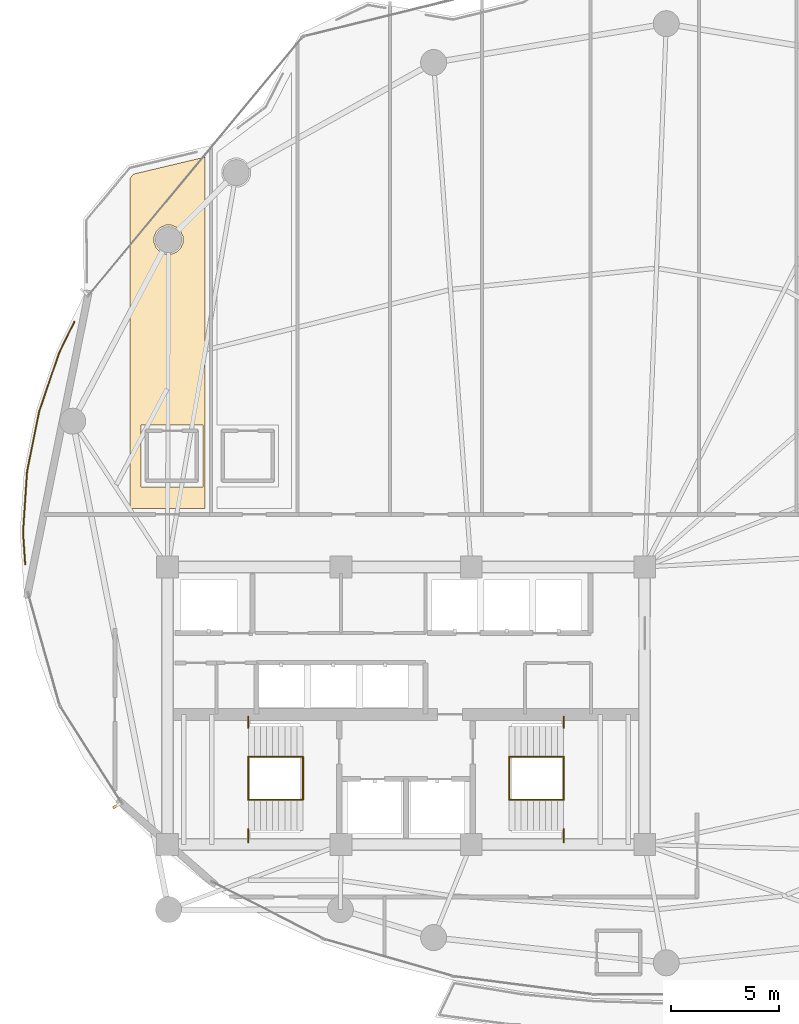
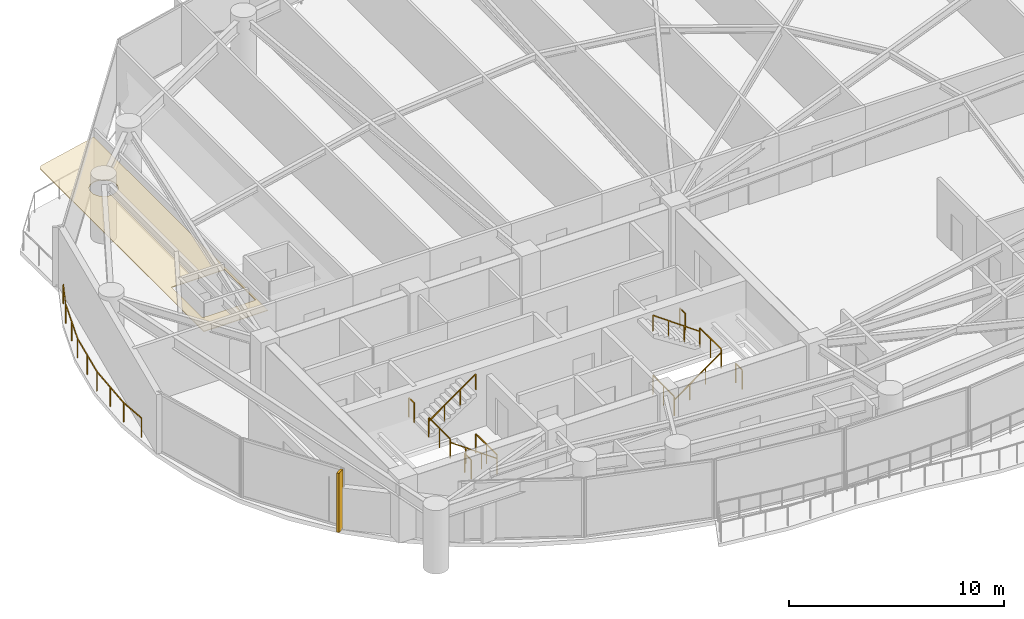
# One storey, part 26 of 28: 13 railings, 1 covering, 1 shading device.
"""IFC4 building model written with IfcOpenShell, lengths in metres."""

from ifc_helpers import new_model, si_unit, direction, frame, origin, origin_2d, place, context, subcontext, project, spatial, polyline, rectangle, outline, extrude, material, layer, layer_set, type_object, element, save


model = new_model("IFC4")

# Units and contexts
model_context = context("Model", 3, precision=1e-05, world=origin(), true_north=direction((0.0, 1.0)))
body_context = subcontext(model_context, "Body", "Model", "MODEL_VIEW")
ifc_project = project(units=[si_unit("LENGTHUNIT", "METRE"), si_unit("AREAUNIT", "SQUARE_METRE"), si_unit("VOLUMEUNIT", "CUBIC_METRE"), si_unit("PLANEANGLEUNIT", "RADIAN"), si_unit("MASSUNIT", "GRAM", prefix="KILO")], contexts=[model_context])

# Site, building, storey
site_placement = place(None, origin())
site = spatial("IfcSite", under=ifc_project, at=site_placement, CompositionType="ELEMENT")
building_placement = place(site_placement, origin())
building = spatial("IfcBuilding", under=site, at=building_placement, Name="Kazevale Care Tower and Concert Hall", CompositionType="ELEMENT")
storey_placement = place(building_placement, frame((0.0, 0.0, 106.199951171875)))
storey = spatial("IfcBuildingStorey", under=building, at=storey_placement, Name="L27", CompositionType="ELEMENT", Elevation=106.199951171875)

# Covering
ifc_material_1 = material(Name="Acoustic Plaster and Hinoki Wood", Category="wood")
ifc_layer = layer(ifc_material_1, 0.0400390625)
ifc_layer_set = layer_set([ifc_layer], Name="Acoustic Plaster and Hinoki Wood")
covering_type = type_object("IfcCoveringType", Name="Acoustic Perforated Wood-Gypsum Ceiling", PredefinedType="CEILING", material=ifc_layer_set)
covering_placement = place(storey_placement, frame((0.0, 0.0, 2.7099609375)))
element("IfcCovering", 1, at=covering_placement, inside=storey, type_object=covering_type, Name="clg:L27:1", PredefinedType="CEILING", context=body_context, shape_type="SweptSolid", body=[
    extrude(outline(polyline([(23.719970703125, 39.10498046875), (20.280029296875, 39.10498046875), (20.280029296875, 54.33203125), (20.43310546875, 54.51611328125), (23.719970703125, 55.297119140625), (23.719970703125, 39.10498046875)]), holes=[polyline([(20.77001953125, 42.955078125), (20.77001953125, 40.094970703125), (23.6298828125, 40.094970703125), (23.6298828125, 42.955078125), (20.77001953125, 42.955078125)]), polyline([(22.717041015625, 51.623046875), (22.614990234375, 51.867919921875), (22.427978515625, 52.054931640625), (22.18310546875, 52.156982421875), (21.9169921875, 52.156982421875), (21.672119140625, 52.054931640625), (21.485107421875, 51.867919921875), (21.383056640625, 51.623046875), (21.383056640625, 51.35693359375), (21.485107421875, 51.112060546875), (21.672119140625, 50.925048828125), (21.9169921875, 50.822998046875), (22.18310546875, 50.822998046875), (22.427978515625, 50.925048828125), (22.614990234375, 51.112060546875), (22.717041015625, 51.35693359375), (22.717041015625, 51.623046875)])]), origin(), (0.0, 0.0, 1.0), 0.0400390625),
])

# Railings
ifc_material_2 = material(Name="Anodised Bronze Aluminium and Laminated Glass", Category="aluminium")
railing_type_1 = type_object("IfcRailingType", Name="Balcony and Terrace Balustrade 1120", PredefinedType="BALUSTRADE", material=ifc_material_2)
railing_1_placement = place(storey_placement, frame((15.43994140625, 36.514892578125, 0.0)))
element("IfcRailing", 2, at=railing_1_placement, inside=storey, type_object=railing_type_1, Name="rail:L27:perim:1", PredefinedType="BALUSTRADE", context=body_context, shape_type="SweptSolid", body=[
    extrude(rectangle(XDim=0.048095703125, YDim=0.048095703125, at=origin_2d()), frame((0.0, 0.0, 1.09619140625), z_axis=(-0.067085094259, 0.99774725764, 0.0), x_axis=(-0.99774725764, -0.067085094259, 0.0)), (0.0, 0.0, 1.0), 1.488525390625),
    extrude(rectangle(XDim=0.048095703125, YDim=0.048095703125, at=origin_2d()), frame((-0.099853515625, 1.485107421875, 1.09619140625), z_axis=(0.066138294973, 0.997810465939, 0.0), x_axis=(-0.997810465939, 0.066138294973, 0.0)), (0.0, 0.0, 1.0), 2.80908203125),
    extrude(rectangle(XDim=0.048095703125, YDim=0.048095703125, at=origin_2d()), frame((0.0859375, 4.2880859375, 1.09619140625), z_axis=(0.197313197068, 0.980340503225, 0.0), x_axis=(-0.980340503225, 0.197313197068, 0.0)), (0.0, 0.0, 1.0), 2.823486328125),
    extrude(rectangle(XDim=0.048095703125, YDim=0.048095703125, at=origin_2d()), frame((0.64306640625, 7.05615234375, 1.09619140625), z_axis=(0.322414050189, 0.946598742996, 0.0), x_axis=(-0.946598742996, 0.322414050189, 0.0)), (0.0, 0.0, 1.0), 2.85009765625),
    extrude(rectangle(XDim=0.048095703125, YDim=0.048095703125, at=origin_2d()), frame((1.56201171875, 9.754150390625, 1.09619140625), z_axis=(0.44003868985, 0.89797881458, 0.0), x_axis=(-0.89797881458, 0.44003868985, 0.0)), (0.0, 0.0, 1.0), 1.595703125),
    extrude(rectangle(XDim=0.0419921875, YDim=0.0419921875, at=origin_2d()), origin(), (0.0, 0.0, 1.0), 1.072021484375),
    extrude(rectangle(XDim=0.0419921875, YDim=0.0419921875, at=origin_2d()), frame((-0.099853515625, 1.485107421875, 0.0)), (0.0, 0.0, 1.0), 1.072021484375),
    extrude(rectangle(XDim=0.0419921875, YDim=0.0419921875, at=origin_2d()), frame((-0.0068359375, 2.88671875, 0.0)), (0.0, 0.0, 1.0), 1.072021484375),
    extrude(rectangle(XDim=0.0419921875, YDim=0.0419921875, at=origin_2d()), frame((0.0859375, 4.2880859375, 0.0)), (0.0, 0.0, 1.0), 1.072021484375),
    extrude(rectangle(XDim=0.0419921875, YDim=0.0419921875, at=origin_2d()), frame((0.364501953125, 5.672119140625, 0.0)), (0.0, 0.0, 1.0), 1.072021484375),
    extrude(rectangle(XDim=0.0419921875, YDim=0.0419921875, at=origin_2d()), frame((0.64306640625, 7.05615234375, 0.0)), (0.0, 0.0, 1.0), 1.072021484375),
    extrude(rectangle(XDim=0.0419921875, YDim=0.0419921875, at=origin_2d()), frame((1.1025390625, 8.4052734375, 0.0)), (0.0, 0.0, 1.0), 1.072021484375),
    extrude(rectangle(XDim=0.0419921875, YDim=0.0419921875, at=origin_2d()), frame((1.56201171875, 9.754150390625, 0.0)), (0.0, 0.0, 1.0), 1.072021484375),
    extrude(rectangle(XDim=0.0419921875, YDim=0.0419921875, at=origin_2d()), frame((2.26416015625, 11.18701171875, 0.0)), (0.0, 0.0, 1.0), 1.072021484375),
])
ifc_material_3 = material(Name="Stainless Steel 316", Category="steel")
railing_type_2 = type_object("IfcRailingType", Name="Stair Pitch Handrail 920", PredefinedType="HANDRAIL", material=ifc_material_3)
railing_2_placement = place(storey_placement, frame((28.25, 25.659912109375, 0.0)))
element("IfcRailing", 3, at=railing_2_placement, inside=storey, type_object=railing_type_2, Name="stair:L27:ST1:hr1", PredefinedType="HANDRAIL", context=body_context, shape_type="SweptSolid", body=[
    extrude(rectangle(XDim=0.048095703125, YDim=0.048095703125, at=origin_2d()), frame((0.0, 0.0, 0.89599609375), z_axis=(-0.813728144527, 0.0, 0.581245650998), x_axis=(0.0, -1.0, 0.0)), (0.0, 0.0, 1.0), 3.096923828125),
    extrude(rectangle(XDim=0.0419921875, YDim=0.0419921875, at=origin_2d()), origin(), (0.0, 0.0, 1.0), 0.871826171875),
    extrude(rectangle(XDim=0.0419921875, YDim=0.0419921875, at=origin_2d()), frame((-0.840087890625, 0.0, 0.60009765625)), (0.0, 0.0, 1.0), 0.871826171875),
    extrude(rectangle(XDim=0.0419921875, YDim=0.0419921875, at=origin_2d()), frame((-1.679931640625, 0.0, 1.199951171875)), (0.0, 0.0, 1.0), 0.871826171875),
    extrude(rectangle(XDim=0.0419921875, YDim=0.0419921875, at=origin_2d()), frame((-2.52001953125, 0.0, 1.800048828125)), (0.0, 0.0, 1.0), 0.871826171875),
])
for number, where, name in (
    (4, (25.72998046875, 27.639892578125, 1.800048828125), "stair:L27:ST1:hr2"),
    (5, (37.75, 25.659912109375, 0.0), "stair:L27:ST2:hr1"),
):
    element("IfcRailing", number, at=place(storey_placement, frame(where)), inside=storey, type_object=railing_type_2, Name=name, PredefinedType="HANDRAIL", context=body_context, shape_type="SweptSolid", body=[
        extrude(rectangle(XDim=0.048095703125, YDim=0.048095703125, at=origin_2d()), frame((0.0, 0.0, 0.89599609375), z_axis=(0.813728144527, 0.0, 0.581245650998), x_axis=(0.0, 1.0, 0.0)), (0.0, 0.0, 1.0), 3.096923828125),
        extrude(rectangle(XDim=0.0419921875, YDim=0.0419921875, at=origin_2d()), origin(), (0.0, 0.0, 1.0), 0.871826171875),
        extrude(rectangle(XDim=0.0419921875, YDim=0.0419921875, at=origin_2d()), frame((0.840087890625, 0.0, 0.60009765625)), (0.0, 0.0, 1.0), 0.871826171875),
        extrude(rectangle(XDim=0.0419921875, YDim=0.0419921875, at=origin_2d()), frame((1.679931640625, 0.0, 1.199951171875)), (0.0, 0.0, 1.0), 0.871826171875),
        extrude(rectangle(XDim=0.0419921875, YDim=0.0419921875, at=origin_2d()), frame((2.52001953125, 0.0, 1.800048828125)), (0.0, 0.0, 1.0), 0.871826171875),
    ])
railing_3_placement = place(storey_placement, frame((40.27001953125, 27.639892578125, 1.800048828125)))
element("IfcRailing", 6, at=railing_3_placement, inside=storey, type_object=railing_type_2, Name="stair:L27:ST2:hr2", PredefinedType="HANDRAIL", context=body_context, shape_type="SweptSolid", body=[
    extrude(rectangle(XDim=0.048095703125, YDim=0.048095703125, at=origin_2d()), frame((0.0, 0.0, 0.89599609375), z_axis=(-0.813728144527, 0.0, 0.581245650998), x_axis=(0.0, -1.0, 0.0)), (0.0, 0.0, 1.0), 3.096923828125),
    extrude(rectangle(XDim=0.0419921875, YDim=0.0419921875, at=origin_2d()), origin(), (0.0, 0.0, 1.0), 0.871826171875),
    extrude(rectangle(XDim=0.0419921875, YDim=0.0419921875, at=origin_2d()), frame((-0.840087890625, 0.0, 0.60009765625)), (0.0, 0.0, 1.0), 0.871826171875),
    extrude(rectangle(XDim=0.0419921875, YDim=0.0419921875, at=origin_2d()), frame((-1.679931640625, 0.0, 1.199951171875)), (0.0, 0.0, 1.0), 0.871826171875),
    extrude(rectangle(XDim=0.0419921875, YDim=0.0419921875, at=origin_2d()), frame((-2.52001953125, 0.0, 1.800048828125)), (0.0, 0.0, 1.0), 0.871826171875),
])
railing_type_3 = type_object("IfcRailingType", Name="Stair Well Guard Balustrade 1120", PredefinedType="BALUSTRADE", material=ifc_material_3)
railing_4_placement = place(storey_placement, frame((25.72998046875, 23.699951171875, 1.800048828125)))
element("IfcRailing", 7, at=railing_4_placement, inside=storey, type_object=railing_type_3, Name="stair:L27:ST1:grd_side1", PredefinedType="BALUSTRADE", context=body_context, shape_type="SweptSolid", body=[
    extrude(rectangle(XDim=0.048095703125, YDim=0.048095703125, at=origin_2d()), frame((0.0, 0.0, 1.09619140625), z_axis=(0.0, 1.0, 0.0), x_axis=(-1.0, 0.0, 0.0)), (0.0, 0.0, 1.0), 0.610107421875),
    extrude(rectangle(XDim=0.0419921875, YDim=0.0419921875, at=origin_2d()), origin(), (0.0, 0.0, 1.0), 1.072021484375),
    extrude(rectangle(XDim=0.0419921875, YDim=0.0419921875, at=origin_2d()), frame((0.0, 0.610107421875, 0.0)), (0.0, 0.0, 1.0), 1.072021484375),
])
railing_5_placement = place(storey_placement, frame((25.72998046875, 28.989990234375, 1.800048828125)))
element("IfcRailing", 8, at=railing_5_placement, inside=storey, type_object=railing_type_3, Name="stair:L27:ST1:grd_side2", PredefinedType="BALUSTRADE", context=body_context, shape_type="SweptSolid", body=[
    extrude(rectangle(XDim=0.048095703125, YDim=0.048095703125, at=origin_2d()), frame((0.0, 0.0, 1.09619140625), z_axis=(0.0, 1.0, 0.0), x_axis=(-1.0, 0.0, 0.0)), (0.0, 0.0, 1.0), 0.510009765625),
    extrude(rectangle(XDim=0.0419921875, YDim=0.0419921875, at=origin_2d()), origin(), (0.0, 0.0, 1.0), 1.072021484375),
    extrude(rectangle(XDim=0.0419921875, YDim=0.0419921875, at=origin_2d()), frame((0.0, 0.510009765625, 0.0)), (0.0, 0.0, 1.0), 1.072021484375),
])
for number, where, name in (
    (9, (25.72998046875, 25.659912109375, 1.800048828125), "stair:L27:ST1:grd_mid"),
    (10, (28.25, 25.659912109375, 0.0), "stair:L27:ST1:grd_flr"),
):
    element("IfcRailing", number, at=place(storey_placement, frame(where)), inside=storey, type_object=railing_type_3, Name=name, PredefinedType="BALUSTRADE", context=body_context, shape_type="SweptSolid", body=[
        extrude(rectangle(XDim=0.048095703125, YDim=0.048095703125, at=origin_2d()), frame((0.0, 0.0, 1.09619140625), z_axis=(0.0, 1.0, 0.0), x_axis=(-1.0, 0.0, 0.0)), (0.0, 0.0, 1.0), 1.97998046875),
        extrude(rectangle(XDim=0.0419921875, YDim=0.0419921875, at=origin_2d()), origin(), (0.0, 0.0, 1.0), 1.072021484375),
        extrude(rectangle(XDim=0.0419921875, YDim=0.0419921875, at=origin_2d()), frame((0.0, 0.989990234375, 0.0)), (0.0, 0.0, 1.0), 1.072021484375),
        extrude(rectangle(XDim=0.0419921875, YDim=0.0419921875, at=origin_2d()), frame((0.0, 1.97998046875, 0.0)), (0.0, 0.0, 1.0), 1.072021484375),
    ])
railing_6_placement = place(storey_placement, frame((40.27001953125, 23.699951171875, 1.800048828125)))
element("IfcRailing", 11, at=railing_6_placement, inside=storey, type_object=railing_type_3, Name="stair:L27:ST2:grd_side1", PredefinedType="BALUSTRADE", context=body_context, shape_type="SweptSolid", body=[
    extrude(rectangle(XDim=0.048095703125, YDim=0.048095703125, at=origin_2d()), frame((0.0, 0.0, 1.09619140625), z_axis=(0.0, 1.0, 0.0), x_axis=(-1.0, 0.0, 0.0)), (0.0, 0.0, 1.0), 0.610107421875),
    extrude(rectangle(XDim=0.0419921875, YDim=0.0419921875, at=origin_2d()), origin(), (0.0, 0.0, 1.0), 1.072021484375),
    extrude(rectangle(XDim=0.0419921875, YDim=0.0419921875, at=origin_2d()), frame((0.0, 0.610107421875, 0.0)), (0.0, 0.0, 1.0), 1.072021484375),
])
railing_7_placement = place(storey_placement, frame((40.27001953125, 28.989990234375, 1.800048828125)))
element("IfcRailing", 12, at=railing_7_placement, inside=storey, type_object=railing_type_3, Name="stair:L27:ST2:grd_side2", PredefinedType="BALUSTRADE", context=body_context, shape_type="SweptSolid", body=[
    extrude(rectangle(XDim=0.048095703125, YDim=0.048095703125, at=origin_2d()), frame((0.0, 0.0, 1.09619140625), z_axis=(0.0, 1.0, 0.0), x_axis=(-1.0, 0.0, 0.0)), (0.0, 0.0, 1.0), 0.510009765625),
    extrude(rectangle(XDim=0.0419921875, YDim=0.0419921875, at=origin_2d()), origin(), (0.0, 0.0, 1.0), 1.072021484375),
    extrude(rectangle(XDim=0.0419921875, YDim=0.0419921875, at=origin_2d()), frame((0.0, 0.510009765625, 0.0)), (0.0, 0.0, 1.0), 1.072021484375),
])
for number, where, name in (
    (13, (40.27001953125, 25.659912109375, 1.800048828125), "stair:L27:ST2:grd_mid"),
    (14, (37.75, 25.659912109375, 0.0), "stair:L27:ST2:grd_flr"),
):
    element("IfcRailing", number, at=place(storey_placement, frame(where)), inside=storey, type_object=railing_type_3, Name=name, PredefinedType="BALUSTRADE", context=body_context, shape_type="SweptSolid", body=[
        extrude(rectangle(XDim=0.048095703125, YDim=0.048095703125, at=origin_2d()), frame((0.0, 0.0, 1.09619140625), z_axis=(0.0, 1.0, 0.0), x_axis=(-1.0, 0.0, 0.0)), (0.0, 0.0, 1.0), 1.97998046875),
        extrude(rectangle(XDim=0.0419921875, YDim=0.0419921875, at=origin_2d()), origin(), (0.0, 0.0, 1.0), 1.072021484375),
        extrude(rectangle(XDim=0.0419921875, YDim=0.0419921875, at=origin_2d()), frame((0.0, 0.989990234375, 0.0)), (0.0, 0.0, 1.0), 1.072021484375),
        extrude(rectangle(XDim=0.0419921875, YDim=0.0419921875, at=origin_2d()), frame((0.0, 1.97998046875, 0.0)), (0.0, 0.0, 1.0), 1.072021484375),
    ])

# Shading device
ifc_material_4 = material(Name="Honed Ochre Limestone", Category="masonry")
shading_device_type = type_object("IfcShadingDeviceType", Name="Vertical Honed Limestone Fin FIN-01", PredefinedType="USERDEFINED", material=ifc_material_4)
shading_device_placement = place(storey_placement, frame((19.649658203125, 25.387451171875, 0.0), z_axis=(0.0, 0.0, 1.0), x_axis=(-0.843391445813, -0.537299608347, 0.0)))
element("IfcShadingDevice", 15, at=shading_device_placement, inside=storey, type_object=shading_device_type, Name="cw:L27:f11:fin", ObjectType="FIN", PredefinedType="USERDEFINED", context=body_context, shape_type="SweptSolid", body=[
    extrude(rectangle(XDim=0.3798828125, YDim=0.1201171875, at=origin_2d()), origin(), (0.0, 0.0, 1.0), 3.360107421875),
])

save(model, "model.ifc")
